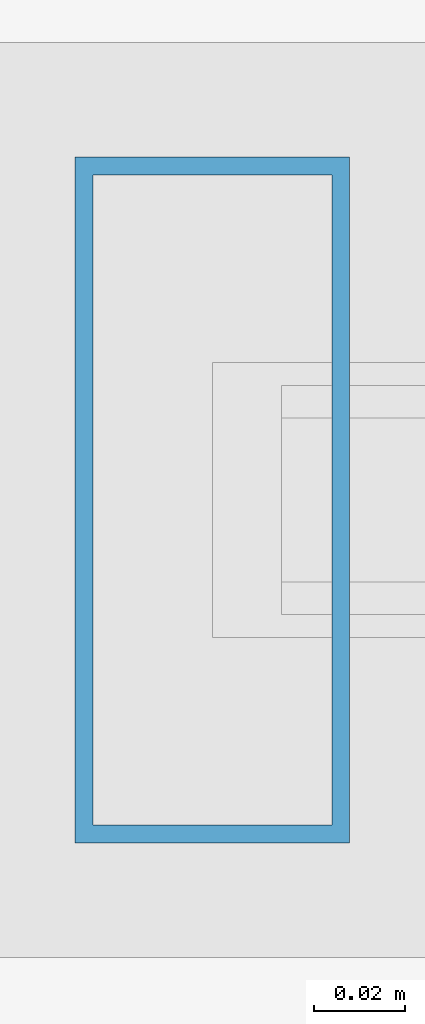
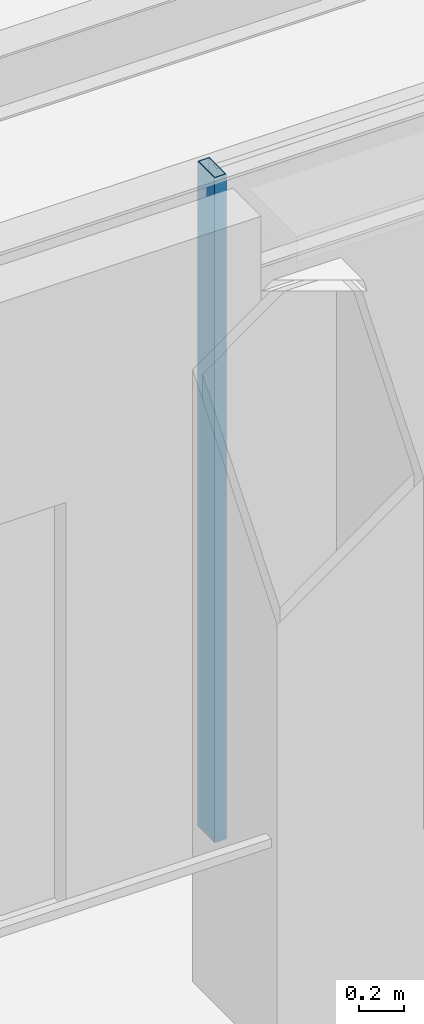
# One storey, part 5 of 24: 1 member, 1 element without a shape of its own.
"""IFC4 building model written with IfcOpenShell, lengths in metres."""

from ifc_helpers import new_model, si_unit, direction, frame, origin, origin_2d, place, context, subcontext, project, spatial, hollow_rectangle, extrude, material, layer, layer_set, material_profile, profile_set, type_object, element, aggregate, save


model = new_model("IFC4")

# Units and contexts
model_context = context("Model", 3, precision=1e-05, world=origin(), true_north=direction((0.0, 1.0)))
body_context = subcontext(model_context, "Body", "Model", "MODEL_VIEW")
ifc_project = project(units=[si_unit("LENGTHUNIT", "METRE"), si_unit("AREAUNIT", "SQUARE_METRE"), si_unit("VOLUMEUNIT", "CUBIC_METRE"), si_unit("PLANEANGLEUNIT", "RADIAN"), si_unit("MASSUNIT", "GRAM", prefix="KILO")], contexts=[model_context])

# Site, building, storey
site_placement = place(None, origin())
site = spatial("IfcSite", under=ifc_project, at=site_placement, CompositionType="ELEMENT")
building_placement = place(site_placement, origin())
building = spatial("IfcBuilding", under=site, at=building_placement, Name="Brelmoor Portico Tower", CompositionType="ELEMENT")
storey_placement = place(building_placement, frame((0.0, 0.0, 254.39990234375)))
storey = spatial("IfcBuildingStorey", under=building, at=storey_placement, Name="L67", CompositionType="ELEMENT", Elevation=254.39990234375)

# Curtain wall, member
ifc_material = material(Name="Anodised Aluminium Alloy 6063-T6", Category="aluminium")
ifc_layer = layer(ifc_material, 0.179931640625)
ifc_layer_set = layer_set([ifc_layer], Name="Anodised Aluminium Alloy 6063-T6")
curtain_wall_type = type_object("IfcCurtainWallType", Name="CW-TOWER-Z4", PredefinedType="NOTDEFINED", material=ifc_layer_set)
curtain_wall_placement = place(storey_placement, origin())
curtain_wall = element("IfcCurtainWall", 1, at=curtain_wall_placement, inside=storey, type_object=curtain_wall_type, Name="L67 Curtain Wall CW-L67-1R-1", PredefinedType="NOTDEFINED")
ifc_material_profile = material_profile(ifc_material, hollow_rectangle(XDim=0.06005859375, YDim=0.14990234375, WallThickness=0.00390625, at=origin_2d()), Name="ALU MULLION 60x150")
ifc_profile_set = profile_set([ifc_material_profile], Name="Anodised Aluminium Alloy 6063-T6")
member_type = type_object("IfcMemberType", Name="MB-CW-MULL-150", PredefinedType="MULLION", material=ifc_profile_set)
member_placement = place(storey_placement, frame((-2.0, -17.550048828125, -0.199951171875), z_axis=(0.0, 0.0, 1.0), x_axis=(1.0, 0.0, 0.0)))
member = element("IfcMember", 2, at=member_placement, type_object=member_type, Name="CW-L67-1R-1 Mullion 00", PredefinedType="MULLION", context=body_context, shape_type="SweptSolid", body=[
    extrude(hollow_rectangle(XDim=0.06005859375, YDim=0.14990234375, WallThickness=0.00390625, at=origin_2d()), origin(), (0.0, 0.0, 1.0), 3.60009765625),
])
aggregate(curtain_wall, [member])

save(model, "model.ifc")
